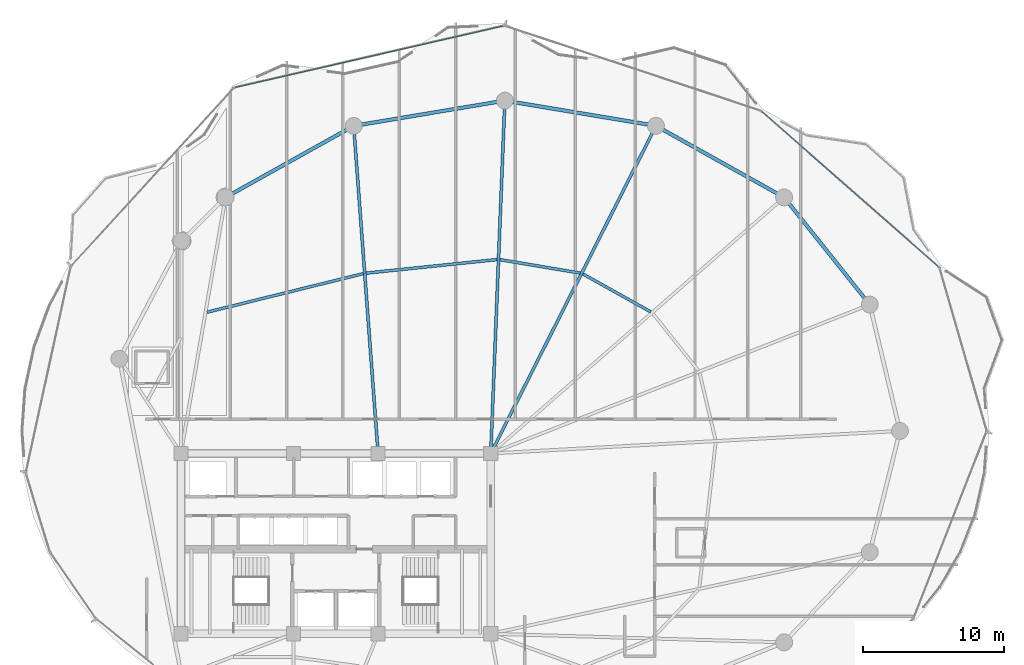
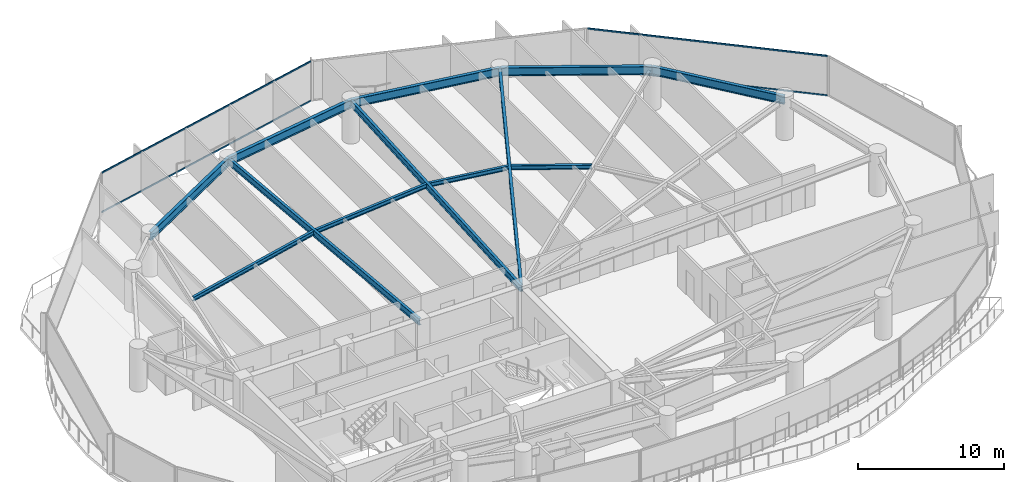
# One storey, part 20 of 34: 12 beams, 4 members, 2 elements without a shape of their own.
"""IFC4 building model written with IfcOpenShell, lengths in metres."""

from ifc_helpers import new_model, si_unit, direction, frame, origin, origin_2d, place, context, subcontext, project, spatial, hollow_rectangle, i_section, extrude, material, layer, layer_set, material_profile, profile_set, type_object, element, aggregate, save


model = new_model("IFC4")

# Units and contexts
model_context = context("Model", 3, precision=1e-05, world=origin(), true_north=direction((0.0, 1.0)))
body_context = subcontext(model_context, "Body", "Model", "MODEL_VIEW")
ifc_project = project(units=[si_unit("LENGTHUNIT", "METRE"), si_unit("AREAUNIT", "SQUARE_METRE"), si_unit("VOLUMEUNIT", "CUBIC_METRE"), si_unit("PLANEANGLEUNIT", "RADIAN"), si_unit("MASSUNIT", "GRAM", prefix="KILO")], contexts=[model_context])

# Site, building, storey
site_placement = place(None, origin())
site = spatial("IfcSite", under=ifc_project, at=site_placement, CompositionType="ELEMENT")
building_placement = place(site_placement, origin())
building = spatial("IfcBuilding", under=site, at=building_placement, Name="Kazevale Care Tower and Concert Hall", CompositionType="ELEMENT")
storey_placement = place(building_placement, frame((0.0, 0.0, 167.39990234375)))
storey = spatial("IfcBuildingStorey", under=building, at=storey_placement, Name="L44", CompositionType="ELEMENT", Elevation=167.39990234375)

# Curtain wall, members
ifc_material_1 = material(Name="Aluminium 6063-T6 and Low-E Glass", Category="aluminium")
ifc_layer = layer(ifc_material_1, 0.179931640625)
ifc_layer_set = layer_set([ifc_layer], Name="Aluminium 6063-T6 and Low-E Glass")
curtain_wall_type = type_object("IfcCurtainWallType", Name="Convex Recessed Sunroom Curtain Wall CW-3", PredefinedType="NOTDEFINED", material=ifc_layer_set)
curtain_wall_1_placement = place(storey_placement, origin())
curtain_wall_1 = element("IfcCurtainWall", 1, at=curtain_wall_1_placement, inside=storey, type_object=curtain_wall_type, Name="cw:L44:f15", PredefinedType="NOTDEFINED")
ifc_material_2 = material(Name="Aluminium 6063-T6", Category="aluminium")
ifc_material_profile_1 = material_profile(ifc_material_2, hollow_rectangle(XDim=0.074951171875, YDim=0.1201171875, WallThickness=0.00390625, at=origin_2d()), Name="ALU75x120x4")
ifc_profile_set_1 = profile_set([ifc_material_profile_1], Name="Aluminium 6063-T6")
member_type = type_object("IfcMemberType", Name="CW-3 Transom ALU75x120x4", PredefinedType="USERDEFINED", material=ifc_profile_set_1)
member_1_placement = place(storey_placement, frame((25.857177734375, 62.38671875, 0.03759765625), z_axis=(0.974688165128, 0.22356873833, 0.0), x_axis=(-0.22356873833, 0.974688165128, 0.0)))
member_1 = element("IfcMember", 2, at=member_1_placement, type_object=member_type, Name="CW-3 transom 1.1", ObjectType="TRANSOM", PredefinedType="USERDEFINED", context=body_context, shape_type="SweptSolid", body=[
    extrude(hollow_rectangle(XDim=0.074951171875, YDim=0.1201171875, WallThickness=0.00390625, at=origin_2d()), origin(), (0.0, 0.0, 1.0), 19.52197265625),
])
member_2_placement = place(storey_placement, frame((25.857177734375, 62.38671875, 3.322509765625), z_axis=(0.974688165128, 0.22356873833, 0.0), x_axis=(-0.22356873833, 0.974688165128, 0.0)))
member_2 = element("IfcMember", 3, at=member_2_placement, type_object=member_type, Name="CW-3 transom 1.2", ObjectType="TRANSOM", PredefinedType="USERDEFINED", context=body_context, shape_type="SweptSolid", body=[
    extrude(hollow_rectangle(XDim=0.074951171875, YDim=0.1201171875, WallThickness=0.00390625, at=origin_2d()), origin(), (0.0, 0.0, 1.0), 19.52197265625),
])
aggregate(curtain_wall_1, [member_1, member_2])

curtain_wall_2_placement = place(storey_placement, origin())
curtain_wall_2 = element("IfcCurtainWall", 4, at=curtain_wall_2_placement, inside=storey, type_object=curtain_wall_type, Name="cw:L44:f17", PredefinedType="NOTDEFINED")
member_3_placement = place(storey_placement, frame((63.2392578125, 60.672607421875, 0.03759765625), z_axis=(0.751360456021, -0.659892010202, 0.0), x_axis=(0.659892010202, 0.751360456021, 0.0)))
member_3 = element("IfcMember", 5, at=member_3_placement, type_object=member_type, Name="CW-3 transom 1.1", ObjectType="TRANSOM", PredefinedType="USERDEFINED", context=body_context, shape_type="SweptSolid", body=[
    extrude(hollow_rectangle(XDim=0.074951171875, YDim=0.1201171875, WallThickness=0.00390625, at=origin_2d()), origin(), (0.0, 0.0, 1.0), 16.72998046875),
])
member_4_placement = place(storey_placement, frame((63.2392578125, 60.672607421875, 3.322509765625), z_axis=(0.751360456021, -0.659892010202, 0.0), x_axis=(0.659892010202, 0.751360456021, 0.0)))
member_4 = element("IfcMember", 6, at=member_4_placement, type_object=member_type, Name="CW-3 transom 1.2", ObjectType="TRANSOM", PredefinedType="USERDEFINED", context=body_context, shape_type="SweptSolid", body=[
    extrude(hollow_rectangle(XDim=0.074951171875, YDim=0.1201171875, WallThickness=0.00390625, at=origin_2d()), origin(), (0.0, 0.0, 1.0), 16.72998046875),
])
aggregate(curtain_wall_2, [member_3, member_4])

# Beams
ifc_material_3 = material(Name="Steel ASTM A572 Gr 50", Category="steel")
ifc_material_profile_2 = material_profile(ifc_material_3, i_section(OverallWidth=0.2119140625, OverallDepth=0.5439453125, WebThickness=0.01318359375, FlangeThickness=0.021240234375, at=origin_2d()), Name="W530x123")
ifc_profile_set_2 = profile_set([ifc_material_profile_2], Name="Steel ASTM A572 Gr 50")
beam_type_1 = type_object("IfcBeamType", Name="Radial Floor Girder W530x123", PredefinedType="BEAM", material=ifc_profile_set_2)
beam_1_placement = place(storey_placement, frame((44.0, 36.39990234375, 3.088134765625), z_axis=(0.450281187568, 0.892886808124, 0.0), x_axis=(-0.892886808124, 0.450281187568, 0.0)))
element("IfcBeam", 7, at=beam_1_placement, inside=storey, type_object=beam_type_1, Name="beam:L44:rad:04", PredefinedType="BEAM", context=body_context, shape_type="SweptSolid", body=[
    extrude(i_section(OverallWidth=0.2119140625, OverallDepth=0.5439453125, WebThickness=0.01318359375, FlangeThickness=0.021240234375, at=origin_2d()), origin(), (0.0, 0.0, 1.0), 26.05029296875),
])
beam_2_placement = place(storey_placement, frame((44.0, 36.39990234375, 3.088134765625), z_axis=(0.039888311255, 0.99920414462, 0.0), x_axis=(-0.99920414462, 0.039888311255, 0.0)))
element("IfcBeam", 8, at=beam_2_placement, inside=storey, type_object=beam_type_1, Name="beam:L44:rad:05", PredefinedType="BEAM", context=body_context, shape_type="SweptSolid", body=[
    extrude(i_section(OverallWidth=0.2119140625, OverallDepth=0.5439453125, WebThickness=0.01318359375, FlangeThickness=0.021240234375, at=origin_2d()), origin(), (0.0, 0.0, 1.0), 25.070068359375),
])
beam_3_placement = place(storey_placement, frame((36.0, 36.39990234375, 3.088134765625), z_axis=(-0.074170876808, 0.997245547011, 0.0), x_axis=(-0.997245547011, -0.074170876808, 0.0)))
element("IfcBeam", 9, at=beam_3_placement, inside=storey, type_object=beam_type_1, Name="beam:L44:rad:06", PredefinedType="BEAM", context=body_context, shape_type="SweptSolid", body=[
    extrude(i_section(OverallWidth=0.2119140625, OverallDepth=0.5439453125, WebThickness=0.01318359375, FlangeThickness=0.021240234375, at=origin_2d()), origin(), (0.0, 0.0, 1.0), 23.32421875),
])
ifc_material_profile_3 = material_profile(ifc_material_3, i_section(OverallWidth=0.205078125, OverallDepth=0.35400390625, WebThickness=0.009521484375, FlangeThickness=0.016845703125, at=origin_2d()), Name="W360x79")
ifc_profile_set_3 = profile_set([ifc_material_profile_3], Name="Steel ASTM A572 Gr 50")
beam_type_2 = type_object("IfcBeamType", Name="Secondary Floor Joist W360x79", PredefinedType="JOIST", material=ifc_profile_set_3)
beam_4_placement = place(storey_placement, frame((55.364990234375, 46.449951171875, 3.18310546875), z_axis=(-0.873137755824, 0.487473547338, 0.0), x_axis=(-0.487473547338, -0.873137755824, 0.0)))
element("IfcBeam", 10, at=beam_4_placement, inside=storey, type_object=beam_type_2, Name="beam:L44:joist:03", PredefinedType="JOIST", context=body_context, shape_type="SweptSolid", body=[
    extrude(i_section(OverallWidth=0.205078125, OverallDepth=0.35400390625, WebThickness=0.009521484375, FlangeThickness=0.016845703125, at=origin_2d()), origin(), (0.0, 0.0, 1.0), 5.522705078125),
])
beam_5_placement = place(storey_placement, frame((50.347900390625, 49.2099609375, 3.18310546875), z_axis=(-0.986366476547, 0.164563586324, 0.0), x_axis=(-0.164563586324, -0.986366476547, 0.0)))
element("IfcBeam", 11, at=beam_5_placement, inside=storey, type_object=beam_type_2, Name="beam:L44:joist:04", PredefinedType="JOIST", context=body_context, shape_type="SweptSolid", body=[
    extrude(i_section(OverallWidth=0.205078125, OverallDepth=0.35400390625, WebThickness=0.009521484375, FlangeThickness=0.016845703125, at=origin_2d()), origin(), (0.0, 0.0, 1.0), 5.7724609375),
])
beam_6_placement = place(storey_placement, frame((44.446044921875, 50.1669921875, 3.18310546875), z_axis=(-0.994674810104, -0.10306319491, 0.0), x_axis=(0.10306319491, -0.994674810104, 0.0)))
element("IfcBeam", 12, at=beam_6_placement, inside=storey, type_object=beam_type_2, Name="beam:L44:joist:05", PredefinedType="JOIST", context=body_context, shape_type="SweptSolid", body=[
    extrude(i_section(OverallWidth=0.205078125, OverallDepth=0.35400390625, WebThickness=0.009521484375, FlangeThickness=0.016845703125, at=origin_2d()), origin(), (0.0, 0.0, 1.0), 9.3427734375),
])
beam_7_placement = place(storey_placement, frame((34.947021484375, 49.16796875, 3.18310546875), z_axis=(-0.970789504014, -0.239932779954, 0.0), x_axis=(0.239932779954, -0.970789504014, 0.0)))
element("IfcBeam", 13, at=beam_7_placement, inside=storey, type_object=beam_type_2, Name="beam:L44:joist:06", PredefinedType="JOIST", context=body_context, shape_type="SweptSolid", body=[
    extrude(i_section(OverallWidth=0.205078125, OverallDepth=0.35400390625, WebThickness=0.009521484375, FlangeThickness=0.016845703125, at=origin_2d()), origin(), (0.0, 0.0, 1.0), 11.43603515625),
])
ifc_material_profile_4 = material_profile(ifc_material_3, i_section(OverallWidth=0.256103515625, OverallDepth=0.693115234375, WebThickness=0.014404296875, FlangeThickness=0.023681640625, at=origin_2d()), Name="W690x170")
ifc_profile_set_4 = profile_set([ifc_material_profile_4], Name="Steel ASTM A572 Gr 50")
beam_type_3 = type_object("IfcBeamType", Name="Waist Ring Beam W690x170", PredefinedType="BEAM", material=ifc_profile_set_4)
beam_8_placement = place(storey_placement, frame((70.909912109375, 46.969970703125, 3.013671875), z_axis=(-0.624178340034, 0.781281895242, 0.0), x_axis=(-0.781281895242, -0.624178340034, 0.0)))
element("IfcBeam", 14, at=beam_8_placement, inside=storey, type_object=beam_type_3, Name="beam:L44:ring:02", PredefinedType="BEAM", context=body_context, shape_type="SweptSolid", body=[
    extrude(i_section(OverallWidth=0.256103515625, OverallDepth=0.693115234375, WebThickness=0.014404296875, FlangeThickness=0.023681640625, at=origin_2d()), origin(), (0.0, 0.0, 1.0), 9.740478515625),
])
beam_9_placement = place(storey_placement, frame((64.830078125, 54.580078125, 3.013671875), z_axis=(-0.873168720251, 0.487418081297, 0.0), x_axis=(-0.487418081297, -0.873168720251, 0.0)))
element("IfcBeam", 15, at=beam_9_placement, inside=storey, type_object=beam_type_3, Name="beam:L44:ring:03", PredefinedType="BEAM", context=body_context, shape_type="SweptSolid", body=[
    extrude(i_section(OverallWidth=0.256103515625, OverallDepth=0.693115234375, WebThickness=0.014404296875, FlangeThickness=0.023681640625, at=origin_2d()), origin(), (0.0, 0.0, 1.0), 10.421875),
])
for number, where, z_axis, x_axis, name in (
    (16, (55.72998046875, 59.659912109375, 3.013671875), (-0.986368436187, 0.164551840139, 0.0), (-0.164551840139, -0.986368436187, 0.0), "beam:L44:ring:04"),
    (17, (45.0, 61.449951171875, 3.013671875), (-0.986368436187, -0.164551840139, 0.0), (0.164551840139, -0.986368436187, 0.0), "beam:L44:ring:05"),
):
    element("IfcBeam", number, at=place(storey_placement, frame(where, z_axis=z_axis, x_axis=x_axis)), inside=storey, type_object=beam_type_3, Name=name, PredefinedType="BEAM", context=body_context, shape_type="SweptSolid", body=[
        extrude(i_section(OverallWidth=0.256103515625, OverallDepth=0.693115234375, WebThickness=0.014404296875, FlangeThickness=0.023681640625, at=origin_2d()), origin(), (0.0, 0.0, 1.0), 10.878173828125),
    ])
beam_10_placement = place(storey_placement, frame((34.27001953125, 59.659912109375, 3.013671875), z_axis=(-0.873168720251, -0.487418081297, 0.0), x_axis=(0.487418081297, -0.873168720251, 0.0)))
element("IfcBeam", 18, at=beam_10_placement, inside=storey, type_object=beam_type_3, Name="beam:L44:ring:06", PredefinedType="BEAM", context=body_context, shape_type="SweptSolid", body=[
    extrude(i_section(OverallWidth=0.256103515625, OverallDepth=0.693115234375, WebThickness=0.014404296875, FlangeThickness=0.023681640625, at=origin_2d()), origin(), (0.0, 0.0, 1.0), 10.421875),
])

save(model, "model.ifc")
